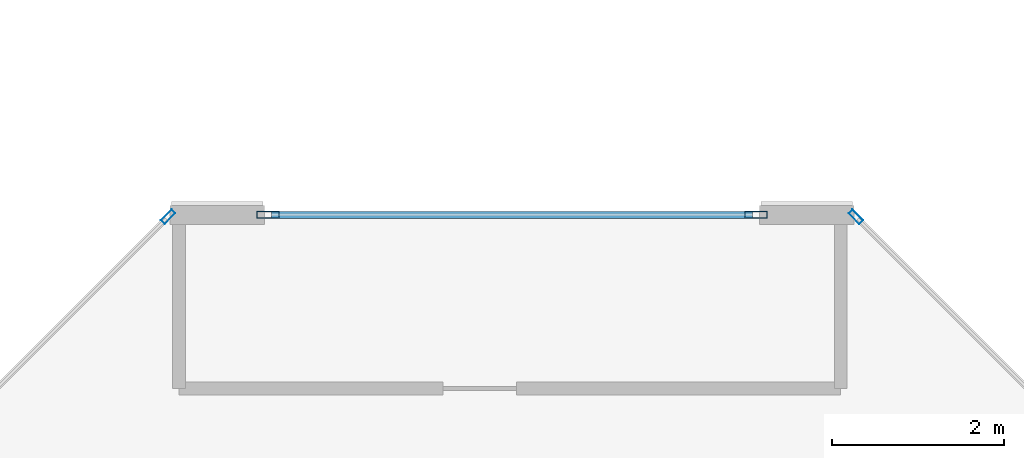
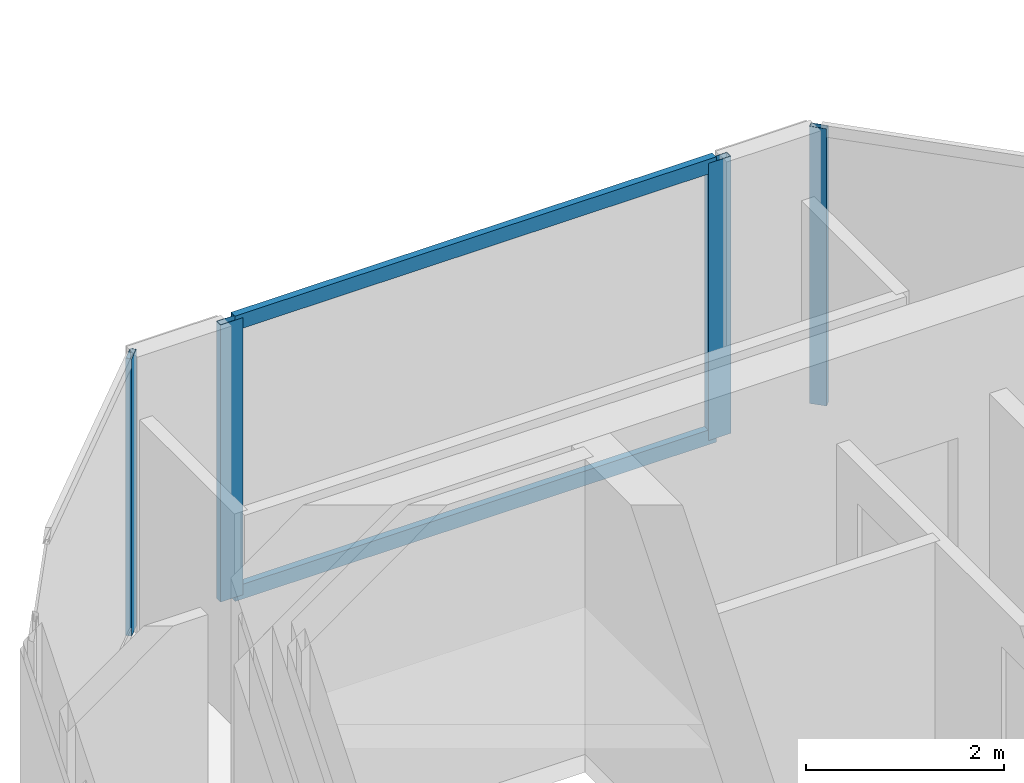
# One storey, part 12 of 28: 6 members, 3 elements without a shape of their own.
"""IFC4 building model written with IfcOpenShell, lengths in metres."""

from ifc_helpers import new_model, si_unit, direction, frame, origin, origin_2d, place, context, subcontext, project, spatial, hollow_rectangle, extrude, material, layer, layer_set, material_profile, profile_set, type_object, element, aggregate, save


model = new_model("IFC4")

# Units and contexts
model_context = context("Model", 3, precision=1e-05, world=origin(), true_north=direction((0.0, 1.0)))
body_context = subcontext(model_context, "Body", "Model", "MODEL_VIEW")
ifc_project = project(units=[si_unit("LENGTHUNIT", "METRE"), si_unit("AREAUNIT", "SQUARE_METRE"), si_unit("VOLUMEUNIT", "CUBIC_METRE"), si_unit("PLANEANGLEUNIT", "RADIAN"), si_unit("MASSUNIT", "GRAM", prefix="KILO")], contexts=[model_context])

# Site, building, storey
site_placement = place(None, origin())
site = spatial("IfcSite", under=ifc_project, at=site_placement, CompositionType="ELEMENT")
building_placement = place(site_placement, origin())
building = spatial("IfcBuilding", under=site, at=building_placement, Name="Tanjung Sevakor Pilgrim Tower", CompositionType="ELEMENT")
storey_placement = place(building_placement, frame((0.0, 0.0, 249.81005859375)))
storey = spatial("IfcBuildingStorey", under=building, at=storey_placement, Name="L70", CompositionType="ELEMENT", Elevation=249.81005859375)

# Curtain wall, member
ifc_material_1 = material(Name="Aluminium 6063-T6 and Low-E Glass", Category="aluminium")
ifc_layer_1 = layer(ifc_material_1, 0.179931640625)
ifc_layer_set_1 = layer_set([ifc_layer_1], Name="CW-SYS-CHAM")
curtain_wall_type_1 = type_object("IfcCurtainWallType", Name="CW-SYS-CHAM", PredefinedType="NOTDEFINED", material=ifc_layer_set_1)
curtain_wall_1_placement = place(storey_placement, origin())
curtain_wall_1 = element("IfcCurtainWall", 1, at=curtain_wall_1_placement, inside=storey, type_object=curtain_wall_type_1, Name="L70 Curtain Wall CW-CHM-L70-WEST-3", PredefinedType="NOTDEFINED")
ifc_material_2 = material(Name="Aluminium 6063-T6", Category="aluminium")
ifc_material_profile_1 = material_profile(ifc_material_2, hollow_rectangle(XDim=0.06494140625, YDim=0.179931640625, WallThickness=0.00390625, at=origin_2d()))
ifc_profile_set_1 = profile_set([ifc_material_profile_1], Name="Aluminium 6063-T6")
member_type_1 = type_object("IfcMemberType", Name="TYPE-CWM-1", PredefinedType="MULLION", material=ifc_profile_set_1)
member_1_placement = place(storey_placement, frame((32.827392578125, 46.26708984375, 0.0), z_axis=(0.0, 0.0, 1.0), x_axis=(-0.707106781187, -0.707106781187, 0.0)))
member_1 = element("IfcMember", 2, at=member_1_placement, type_object=member_type_1, Name="CW-CHM mullion 2", PredefinedType="MULLION", context=body_context, shape_type="SweptSolid", body=[
    extrude(hollow_rectangle(XDim=0.06494140625, YDim=0.179931640625, WallThickness=0.00390625, at=origin_2d()), origin(), (0.0, 0.0, 1.0), 3.409912109375),
])
aggregate(curtain_wall_1, [member_1])

curtain_wall_2_placement = place(storey_placement, origin())
curtain_wall_2 = element("IfcCurtainWall", 3, at=curtain_wall_2_placement, inside=storey, type_object=curtain_wall_type_1, Name="L70 Curtain Wall CW-CHM-L70-WEST-5", PredefinedType="NOTDEFINED")
member_2_placement = place(storey_placement, frame((24.822509765625, 46.26708984375, 0.0), z_axis=(0.0, 0.0, 1.0), x_axis=(0.707106781187, -0.707106781187, 0.0)))
member_2 = element("IfcMember", 4, at=member_2_placement, type_object=member_type_1, Name="CW-CHM mullion 1", PredefinedType="MULLION", context=body_context, shape_type="SweptSolid", body=[
    extrude(hollow_rectangle(XDim=0.06494140625, YDim=0.179931640625, WallThickness=0.00390625, at=origin_2d()), origin(), (0.0, 0.0, 1.0), 3.409912109375),
])
aggregate(curtain_wall_2, [member_2])

# Curtain wall, members
ifc_material_3 = material(Name="Aluminium 6063-T6 and Low-E Glass", Category="aluminium")
ifc_layer_2 = layer(ifc_material_3, 0.199951171875)
ifc_layer_set_2 = layer_set([ifc_layer_2], Name="CW-SYS-CRNW")
curtain_wall_type_2 = type_object("IfcCurtainWallType", Name="CW-SYS-CRNW", PredefinedType="NOTDEFINED", material=ifc_layer_set_2)
curtain_wall_3_placement = place(storey_placement, origin())
curtain_wall_3 = element("IfcCurtainWall", 5, at=curtain_wall_3_placement, inside=storey, type_object=curtain_wall_type_2, Name="L70 Curtain Wall CW-CRN-L70-WEST-4-1", PredefinedType="NOTDEFINED")
ifc_material_4 = material(Name="Aluminium 6063-T6", Category="aluminium")
ifc_material_profile_2 = material_profile(ifc_material_4, hollow_rectangle(XDim=0.080078125, YDim=0.260009765625, WallThickness=0.0048828125, at=origin_2d()))
ifc_profile_set_2 = profile_set([ifc_material_profile_2], Name="Aluminium 6063-T6")
member_type_2 = type_object("IfcMemberType", Name="TYPE-CWM-3", PredefinedType="MULLION", material=ifc_profile_set_2)
member_3_placement = place(storey_placement, frame((31.664306640625, 46.2900390625, 0.0), z_axis=(0.0, 0.0, 1.0), x_axis=(0.0, -1.0, 0.0)))
member_3 = element("IfcMember", 6, at=member_3_placement, type_object=member_type_2, Name="CW-CRW mullion 1", PredefinedType="MULLION", context=body_context, shape_type="SweptSolid", body=[
    extrude(hollow_rectangle(XDim=0.080078125, YDim=0.260009765625, WallThickness=0.0048828125, at=origin_2d()), origin(), (0.0, 0.0, 1.0), 3.409912109375),
])
member_4_placement = place(storey_placement, frame((25.985595703125, 46.2900390625, 0.0), z_axis=(0.0, 0.0, 1.0), x_axis=(0.0, -1.0, 0.0)))
member_4 = element("IfcMember", 7, at=member_4_placement, type_object=member_type_2, Name="CW-CRW mullion 2", PredefinedType="MULLION", context=body_context, shape_type="SweptSolid", body=[
    extrude(hollow_rectangle(XDim=0.080078125, YDim=0.260009765625, WallThickness=0.0048828125, at=origin_2d()), origin(), (0.0, 0.0, 1.0), 3.409912109375),
])
ifc_material_5 = material(Name="Aluminium 6063-T6", Category="aluminium")
ifc_material_profile_3 = material_profile(ifc_material_5, hollow_rectangle(XDim=0.080078125, YDim=0.179931640625, WallThickness=0.0048828125, at=origin_2d()))
ifc_profile_set_3 = profile_set([ifc_material_profile_3], Name="Aluminium 6063-T6")
member_type_3 = type_object("IfcMemberType", Name="TYPE-CWT-3", PredefinedType="USERDEFINED", material=ifc_profile_set_3)
member_5_placement = place(storey_placement, frame((31.62451171875, 46.2900390625, 0.0400390625), z_axis=(-1.0, 0.0, 0.0), x_axis=(0.0, -1.0, 0.0)))
member_5 = element("IfcMember", 8, at=member_5_placement, type_object=member_type_3, Name="CW-CRW transom 1.1", ObjectType="TRANSOM", PredefinedType="USERDEFINED", context=body_context, shape_type="SweptSolid", body=[
    extrude(hollow_rectangle(XDim=0.080078125, YDim=0.179931640625, WallThickness=0.0048828125, at=origin_2d()), origin(), (0.0, 0.0, 1.0), 5.598876953125),
])
member_6_placement = place(storey_placement, frame((31.62451171875, 46.2900390625, 3.369873046875), z_axis=(-1.0, 0.0, 0.0), x_axis=(0.0, -1.0, 0.0)))
member_6 = element("IfcMember", 9, at=member_6_placement, type_object=member_type_3, Name="CW-CRW transom 1.2", ObjectType="TRANSOM", PredefinedType="USERDEFINED", context=body_context, shape_type="SweptSolid", body=[
    extrude(hollow_rectangle(XDim=0.080078125, YDim=0.179931640625, WallThickness=0.0048828125, at=origin_2d()), origin(), (0.0, 0.0, 1.0), 5.598876953125),
])
aggregate(curtain_wall_3, [member_3, member_4, member_5, member_6])

save(model, "model.ifc")
